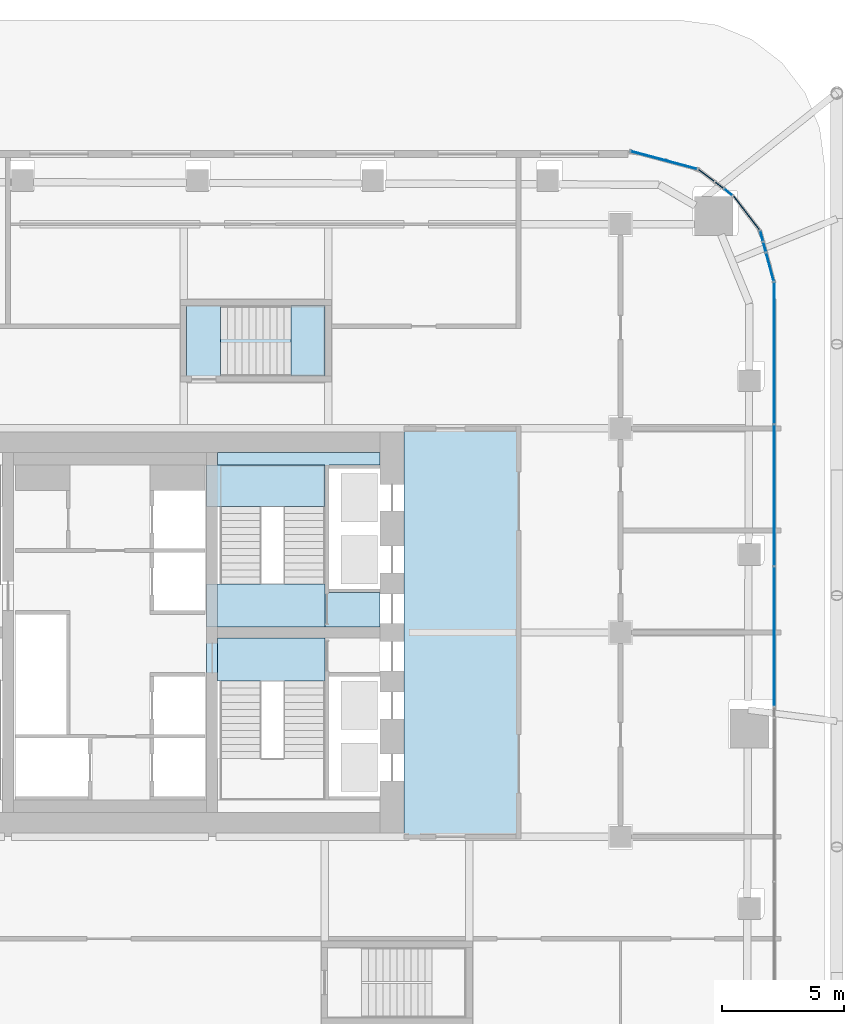
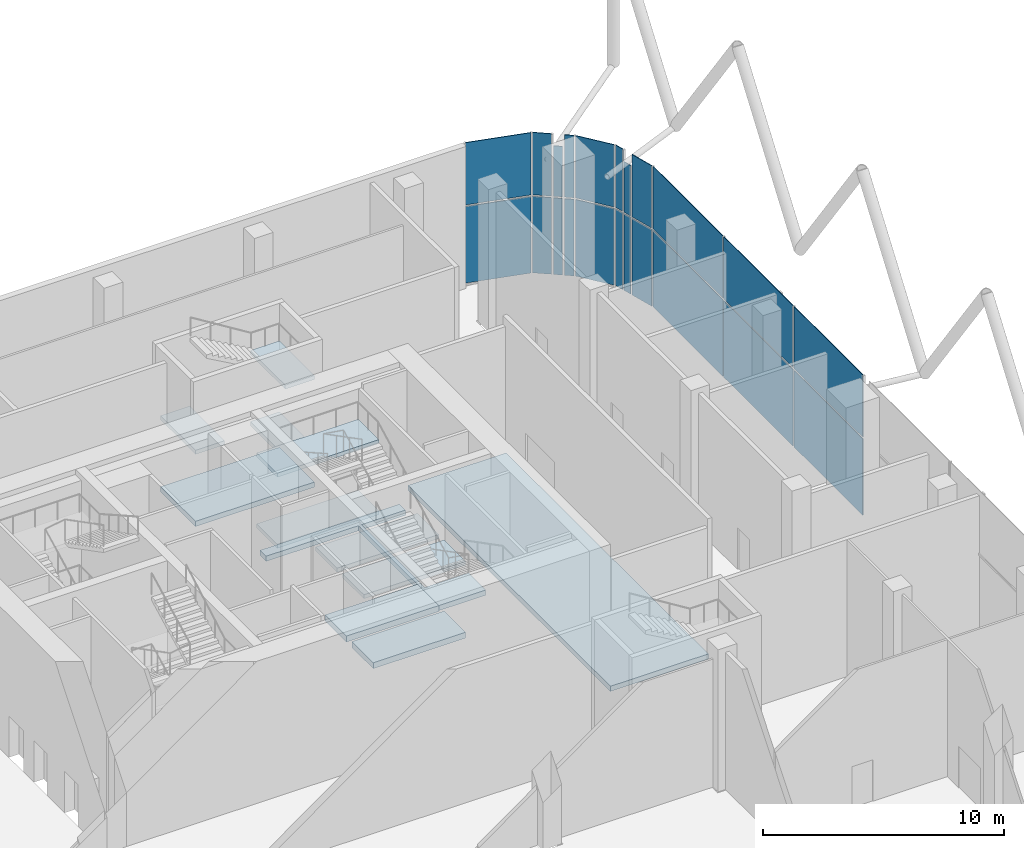
# One storey, part 24 of 34: 22 plates, 12 slabs, 12 elements without a shape of their own.
"""IFC4 building model written with IfcOpenShell, lengths in metres."""

from ifc_helpers import new_model, si_unit, direction, frame, origin, origin_2d, place, context, subcontext, project, spatial, polyline, rectangle, outline, extrude, material, layer, layer_set, type_object, element, aggregate, save


model = new_model("IFC4")

# Units and contexts
model_context = context("Model", 3, precision=1e-05, world=origin(), true_north=direction((0.0, 1.0)))
body_context = subcontext(model_context, "Body", "Model", "MODEL_VIEW")
ifc_project = project(units=[si_unit("LENGTHUNIT", "METRE"), si_unit("AREAUNIT", "SQUARE_METRE"), si_unit("VOLUMEUNIT", "CUBIC_METRE"), si_unit("PLANEANGLEUNIT", "RADIAN"), si_unit("MASSUNIT", "GRAM", prefix="KILO")], contexts=[model_context])

# Site, building, storey
site_placement = place(None, origin())
site = spatial("IfcSite", under=ifc_project, at=site_placement, CompositionType="ELEMENT")
building_placement = place(site_placement, origin())
building = spatial("IfcBuilding", under=site, at=building_placement, Name="Marenta Gate Hotel Tower", CompositionType="ELEMENT")
storey_placement = place(building_placement, frame((0.0, 0.0, 97.699951171875)))
storey = spatial("IfcBuildingStorey", under=building, at=storey_placement, Name="L21", CompositionType="ELEMENT", Elevation=97.699951171875)

# Slabs
ifc_material_1 = material(Name="Concrete C40", Category="concrete")
ifc_layer_1 = layer(ifc_material_1, 0.260009765625)
ifc_layer_set_1 = layer_set([ifc_layer_1], Name="Concrete C40")
slab_type_1 = type_object("IfcSlabType", Name="Core floor slab 260", PredefinedType="FLOOR", material=ifc_layer_set_1)
slab_1_placement = place(storey_placement, frame((0.0, 0.0, -0.260009765625)))
element("IfcSlab", 1, at=slab_1_placement, inside=storey, type_object=slab_type_1, Name="L21-CF-1", PredefinedType="FLOOR", context=body_context, shape_type="SweptSolid", body=[
    extrude(outline(polyline([(12.10009765625, 0.0), (12.10009765625, 16.800048828125), (16.800048828125, 16.800048828125), (16.800048828125, 0.0), (12.10009765625, 0.0)])), origin(), (0.0, 0.0, 1.0), 0.260009765625),
])
slab_2_placement = place(storey_placement, frame((0.0, 0.0, -0.260009765625)))
element("IfcSlab", 2, at=slab_2_placement, inside=storey, type_object=slab_type_1, Name="L21-CF-3", PredefinedType="FLOOR", context=body_context, shape_type="SweptSolid", body=[
    extrude(outline(polyline([(8.85009765625, 15.300048828125), (4.425048828125, 15.300048828125), (4.425048828125, 15.800048828125), (11.10009765625, 15.800048828125), (11.10009765625, 15.300048828125), (9.0, 15.300048828125), (9.0, 15.14990234375), (9.0, 12.75), (9.0, 12.60009765625), (9.0, 10.199951171875), (9.0, 10.050048828125), (11.10009765625, 10.050048828125), (11.10009765625, 8.625), (8.85009765625, 8.625), (8.85009765625, 8.699951171875), (8.85009765625, 10.39990234375), (8.85009765625, 15.300048828125)])), origin(), (0.0, 0.0, 1.0), 0.260009765625),
])

# Stair, slab
ifc_material_2 = material(Name="Concrete C40", Category="concrete")
stair_type_1 = type_object("IfcStairType", Name="Core exit stair 1700 wide", PredefinedType="HALF_TURN_STAIR", material=ifc_material_2)
stair_1_placement = place(storey_placement, origin())
stair_1 = element("IfcStair", 3, at=stair_1_placement, inside=storey, type_object=stair_type_1, Name="Exit stair 3", PredefinedType="HALF_TURN_STAIR")
ifc_material_3 = material(Name="Concrete C40", Category="concrete")
ifc_layer_2 = layer(ifc_material_3, 0.199951171875)
ifc_layer_set_2 = layer_set([ifc_layer_2], Name="Concrete C40")
slab_type_2 = type_object("IfcSlabType", Name="Core stair landing 200", PredefinedType="LANDING", material=ifc_layer_set_2)
slab_3_placement = place(storey_placement, frame((0.0, 0.0, 3.400146484375)))
slab_3 = element("IfcSlab", 4, at=slab_3_placement, type_object=slab_type_2, Name="SL-200 ST3 landing 2", PredefinedType="LANDING", context=body_context, shape_type="SweptSolid", body=[
    extrude(outline(polyline([(3.97509765625, 6.39990234375), (8.85009765625, 6.39990234375), (8.85009765625, 8.175048828125), (3.97509765625, 8.175048828125), (3.97509765625, 6.39990234375)])), origin(), (0.0, 0.0, 1.0), 0.199951171875),
])
aggregate(stair_1, [slab_3])

# Stair, slabs
stair_2_placement = place(storey_placement, origin())
stair_2 = element("IfcStair", 5, at=stair_2_placement, inside=storey, type_object=stair_type_1, Name="Exit stair 4", PredefinedType="HALF_TURN_STAIR")
slab_4_placement = place(storey_placement, frame((0.0, 0.0, 1.60009765625)))
slab_4 = element("IfcSlab", 6, at=slab_4_placement, type_object=slab_type_2, Name="SL-200 ST4 landing 1", PredefinedType="LANDING", context=body_context, shape_type="SweptSolid", body=[
    extrude(outline(polyline([(3.97509765625, 13.590087890625), (8.85009765625, 13.590087890625), (8.85009765625, 15.300048828125), (3.97509765625, 15.300048828125), (3.97509765625, 13.590087890625)])), origin(), (0.0, 0.0, 1.0), 0.199951171875),
])
slab_5_placement = place(storey_placement, frame((0.0, 0.0, 3.400146484375)))
slab_5 = element("IfcSlab", 7, at=slab_5_placement, type_object=slab_type_2, Name="SL-200 ST4 landing 2", PredefinedType="LANDING", context=body_context, shape_type="SweptSolid", body=[
    extrude(outline(polyline([(3.97509765625, 8.625), (8.85009765625, 8.625), (8.85009765625, 10.39990234375), (3.97509765625, 10.39990234375), (3.97509765625, 8.625)])), origin(), (0.0, 0.0, 1.0), 0.199951171875),
])
slab_6_placement = place(storey_placement, frame((0.0, 0.0, 5.199951171875)))
slab_6 = element("IfcSlab", 8, at=slab_6_placement, type_object=slab_type_2, Name="SL-200 ST4 landing 3", PredefinedType="LANDING", context=body_context, shape_type="SweptSolid", body=[
    extrude(outline(polyline([(3.97509765625, 13.590087890625), (8.85009765625, 13.590087890625), (8.85009765625, 15.300048828125), (3.97509765625, 15.300048828125), (3.97509765625, 13.590087890625)])), origin(), (0.0, 0.0, 1.0), 0.2001953125),
])
aggregate(stair_2, [slab_4, slab_5, slab_6])

# Curtain wall, plates
ifc_material_4 = material(Name="Tinted insulated glass in bronze anodised frame", Category="glass")
ifc_layer_3 = layer(ifc_material_4, 0.1298828125)
ifc_layer_set_3 = layer_set([ifc_layer_3], Name="Tinted insulated glass in bronze anodised frame")
curtain_wall_type = type_object("IfcCurtainWallType", Name="Sky lobby glazing CW2", PredefinedType="NOTDEFINED", material=ifc_layer_set_3)
curtain_wall_1_placement = place(storey_placement, origin())
curtain_wall_1 = element("IfcCurtainWall", 9, at=curtain_wall_1_placement, inside=storey, type_object=curtain_wall_type, Name="CW2 run G35", PredefinedType="NOTDEFINED")
ifc_material_5 = material(Name="Tinted insulated glass", Category="glass")
ifc_layer_4 = layer(ifc_material_5, 0.033935546875)
ifc_layer_set_4 = layer_set([ifc_layer_4], Name="Tinted insulated glass")
plate_type = type_object("IfcPlateType", Name="Glass panel CW2 34 mm tinted insulated unit", PredefinedType="CURTAIN_PANEL", material=ifc_layer_set_4)
plate_1_placement = place(storey_placement, frame((27.319091796875, 8.238037109375, 0.080078125), z_axis=(0.0, 0.0, 1.0), x_axis=(0.0, 1.0, 0.0)))
plate_1 = element("IfcPlate", 10, at=plate_1_placement, type_object=plate_type, Name="CW2 panel 1.1", PredefinedType="CURTAIN_PANEL", context=body_context, shape_type="SweptSolid", body=[
    extrude(rectangle(XDim=5.709716796875, YDim=0.033935546875, at=origin_2d()), origin(), (0.0, 0.0, 1.0), 3.8798828125),
])
plate_2_placement = place(storey_placement, frame((27.319091796875, 8.238037109375, 4.0400390625), z_axis=(0.0, 0.0, 1.0), x_axis=(0.0, 1.0, 0.0)))
plate_2 = element("IfcPlate", 11, at=plate_2_placement, type_object=plate_type, Name="CW2 panel 1.2", PredefinedType="CURTAIN_PANEL", context=body_context, shape_type="SweptSolid", body=[
    extrude(rectangle(XDim=5.709716796875, YDim=0.033935546875, at=origin_2d()), origin(), (0.0, 0.0, 1.0), 3.159912109375),
])
plate_3_placement = place(storey_placement, frame((27.319091796875, 14.0478515625, 0.080078125), z_axis=(0.0, 0.0, 1.0), x_axis=(0.0, 1.0, 0.0)))
plate_3 = element("IfcPlate", 12, at=plate_3_placement, type_object=plate_type, Name="CW2 panel 2.1", PredefinedType="CURTAIN_PANEL", context=body_context, shape_type="SweptSolid", body=[
    extrude(rectangle(XDim=5.749755859375, YDim=0.033935546875, at=origin_2d()), origin(), (0.0, 0.0, 1.0), 3.8798828125),
])
plate_4_placement = place(storey_placement, frame((27.319091796875, 14.0478515625, 4.0400390625), z_axis=(0.0, 0.0, 1.0), x_axis=(0.0, 1.0, 0.0)))
plate_4 = element("IfcPlate", 13, at=plate_4_placement, type_object=plate_type, Name="CW2 panel 2.2", PredefinedType="CURTAIN_PANEL", context=body_context, shape_type="SweptSolid", body=[
    extrude(rectangle(XDim=5.749755859375, YDim=0.033935546875, at=origin_2d()), origin(), (0.0, 0.0, 1.0), 3.159912109375),
])
plate_5_placement = place(storey_placement, frame((27.319091796875, 19.897705078125, 0.080078125), z_axis=(0.0, 0.0, 1.0), x_axis=(0.0, 1.0, 0.0)))
plate_5 = element("IfcPlate", 14, at=plate_5_placement, type_object=plate_type, Name="CW2 panel 3.1", PredefinedType="CURTAIN_PANEL", context=body_context, shape_type="SweptSolid", body=[
    extrude(rectangle(XDim=5.789794921875, YDim=0.033935546875, at=origin_2d()), origin(), (0.0, 0.0, 1.0), 3.8798828125),
])
plate_6_placement = place(storey_placement, frame((27.319091796875, 19.897705078125, 4.0400390625), z_axis=(0.0, 0.0, 1.0), x_axis=(0.0, 1.0, 0.0)))
plate_6 = element("IfcPlate", 15, at=plate_6_placement, type_object=plate_type, Name="CW2 panel 3.2", PredefinedType="CURTAIN_PANEL", context=body_context, shape_type="SweptSolid", body=[
    extrude(rectangle(XDim=5.789794921875, YDim=0.033935546875, at=origin_2d()), origin(), (0.0, 0.0, 1.0), 3.159912109375),
])
aggregate(curtain_wall_1, [plate_1, plate_2, plate_3, plate_4, plate_5, plate_6])

curtain_wall_2_placement = place(storey_placement, origin())
curtain_wall_2 = element("IfcCurtainWall", 16, at=curtain_wall_2_placement, inside=storey, type_object=curtain_wall_type, Name="CW2 run G36", PredefinedType="NOTDEFINED")
plate_7_placement = place(storey_placement, frame((27.147216796875, 23.43359375, 0.080078125), z_axis=(0.0, 0.0, 1.0), x_axis=(-0.258780163869, 0.965936243646, 0.0)))
plate_7 = element("IfcPlate", 17, at=plate_7_placement, type_object=plate_type, Name="CW2 panel 1.1", PredefinedType="CURTAIN_PANEL", context=body_context, shape_type="SweptSolid", body=[
    extrude(rectangle(XDim=1.16748046875, YDim=0.033935546875, at=origin_2d()), origin(), (0.0, 0.0, 1.0), 3.8798828125),
])
plate_8_placement = place(storey_placement, frame((27.147216796875, 23.43359375, 4.0400390625), z_axis=(0.0, 0.0, 1.0), x_axis=(-0.258780163869, 0.965936243646, 0.0)))
plate_8 = element("IfcPlate", 18, at=plate_8_placement, type_object=plate_type, Name="CW2 panel 1.2", PredefinedType="CURTAIN_PANEL", context=body_context, shape_type="SweptSolid", body=[
    extrude(rectangle(XDim=1.16748046875, YDim=0.033935546875, at=origin_2d()), origin(), (0.0, 0.0, 1.0), 3.159912109375),
])
aggregate(curtain_wall_2, [plate_7, plate_8])

curtain_wall_3_placement = place(storey_placement, origin())
curtain_wall_3 = element("IfcCurtainWall", 19, at=curtain_wall_3_placement, inside=storey, type_object=curtain_wall_type, Name="CW2 run G37", PredefinedType="NOTDEFINED")
plate_9_placement = place(storey_placement, frame((26.9267578125, 24.256591796875, 0.080078125), z_axis=(0.0, 0.0, 1.0), x_axis=(-0.258834595648, 0.965921659399, 0.0)))
plate_9 = element("IfcPlate", 20, at=plate_9_placement, type_object=plate_type, Name="CW2 panel 1.1", PredefinedType="CURTAIN_PANEL", context=body_context, shape_type="SweptSolid", body=[
    extrude(rectangle(XDim=0.376708984375, YDim=0.033935546875, at=origin_2d()), origin(), (0.0, 0.0, 1.0), 3.8798828125),
])
plate_10_placement = place(storey_placement, frame((26.9267578125, 24.256591796875, 4.0400390625), z_axis=(0.0, 0.0, 1.0), x_axis=(-0.258834595648, 0.965921659399, 0.0)))
plate_10 = element("IfcPlate", 21, at=plate_10_placement, type_object=plate_type, Name="CW2 panel 1.2", PredefinedType="CURTAIN_PANEL", context=body_context, shape_type="SweptSolid", body=[
    extrude(rectangle(XDim=0.376708984375, YDim=0.033935546875, at=origin_2d()), origin(), (0.0, 0.0, 1.0), 2.560546875),
])
aggregate(curtain_wall_3, [plate_9, plate_10])

curtain_wall_4_placement = place(storey_placement, origin())
curtain_wall_4 = element("IfcCurtainWall", 22, at=curtain_wall_4_placement, inside=storey, type_object=curtain_wall_type, Name="CW2 run G38", PredefinedType="NOTDEFINED")
plate_11_placement = place(storey_placement, frame((26.803955078125, 24.714599609375, 0.080078125), z_axis=(0.0, 0.0, 1.0), x_axis=(-0.258864833085, 0.965913556273, 0.0)))
plate_11 = element("IfcPlate", 23, at=plate_11_placement, type_object=plate_type, Name="CW2 panel 1.1", PredefinedType="CURTAIN_PANEL", context=body_context, shape_type="SweptSolid", body=[
    extrude(rectangle(XDim=0.411865234375, YDim=0.033935546875, at=origin_2d()), origin(), (0.0, 0.0, 1.0), 3.8798828125),
])
plate_12_placement = place(storey_placement, frame((26.803955078125, 24.714599609375, 4.0400390625), z_axis=(0.0, 0.0, 1.0), x_axis=(-0.258864833085, 0.965913556273, 0.0)))
plate_12 = element("IfcPlate", 24, at=plate_12_placement, type_object=plate_type, Name="CW2 panel 1.2", PredefinedType="CURTAIN_PANEL", context=body_context, shape_type="SweptSolid", body=[
    extrude(rectangle(XDim=0.411865234375, YDim=0.033935546875, at=origin_2d()), origin(), (0.0, 0.0, 1.0), 3.159912109375),
])
aggregate(curtain_wall_4, [plate_11, plate_12])

curtain_wall_5_placement = place(storey_placement, origin())
curtain_wall_5 = element("IfcCurtainWall", 25, at=curtain_wall_5_placement, inside=storey, type_object=curtain_wall_type, Name="CW2 run G39", PredefinedType="NOTDEFINED")
plate_13_placement = place(storey_placement, frame((26.175537109375, 25.6630859375, 0.080078125), z_axis=(0.0, 0.0, 1.0), x_axis=(-0.608770255435, 0.793346567458, 0.0)))
plate_13 = element("IfcPlate", 26, at=plate_13_placement, type_object=plate_type, Name="CW2 panel 1.1", PredefinedType="CURTAIN_PANEL", context=body_context, shape_type="SweptSolid", body=[
    extrude(rectangle(XDim=1.7294921875, YDim=0.033935546875, at=origin_2d()), origin(), (0.0, 0.0, 1.0), 3.8798828125),
])
plate_14_placement = place(storey_placement, frame((26.175537109375, 25.6630859375, 4.0400390625), z_axis=(0.0, 0.0, 1.0), x_axis=(-0.608770255435, 0.793346567458, 0.0)))
plate_14 = element("IfcPlate", 27, at=plate_14_placement, type_object=plate_type, Name="CW2 panel 1.2", PredefinedType="CURTAIN_PANEL", context=body_context, shape_type="SweptSolid", body=[
    extrude(rectangle(XDim=1.7294921875, YDim=0.033935546875, at=origin_2d()), origin(), (0.0, 0.0, 1.0), 3.159912109375),
])
aggregate(curtain_wall_5, [plate_13, plate_14])

curtain_wall_6_placement = place(storey_placement, origin())
curtain_wall_6 = element("IfcCurtainWall", 28, at=curtain_wall_6_placement, inside=storey, type_object=curtain_wall_type, Name="CW2 run G40", PredefinedType="NOTDEFINED")
plate_15_placement = place(storey_placement, frame((25.430419921875, 26.516845703125, 0.080078125), z_axis=(0.0, 0.0, 1.0), x_axis=(-0.79335698929, 0.608756673512, 0.0)))
plate_15 = element("IfcPlate", 29, at=plate_15_placement, type_object=plate_type, Name="CW2 panel 1.1", PredefinedType="CURTAIN_PANEL", context=body_context, shape_type="SweptSolid", body=[
    extrude(rectangle(XDim=0.391357421875, YDim=0.033935546875, at=origin_2d()), origin(), (0.0, 0.0, 1.0), 3.8798828125),
])
plate_16_placement = place(storey_placement, frame((25.430419921875, 26.516845703125, 4.0400390625), z_axis=(0.0, 0.0, 1.0), x_axis=(-0.79335698929, 0.608756673512, 0.0)))
plate_16 = element("IfcPlate", 30, at=plate_16_placement, type_object=plate_type, Name="CW2 panel 1.2", PredefinedType="CURTAIN_PANEL", context=body_context, shape_type="SweptSolid", body=[
    extrude(rectangle(XDim=0.391357421875, YDim=0.033935546875, at=origin_2d()), origin(), (0.0, 0.0, 1.0), 3.159912109375),
])
aggregate(curtain_wall_6, [plate_15, plate_16])

curtain_wall_7_placement = place(storey_placement, origin())
curtain_wall_7 = element("IfcCurtainWall", 31, at=curtain_wall_7_placement, inside=storey, type_object=curtain_wall_type, Name="CW2 run G41", PredefinedType="NOTDEFINED")
plate_17_placement = place(storey_placement, frame((25.05810546875, 26.802490234375, 0.080078125), z_axis=(0.0, 0.0, 1.0), x_axis=(-0.79345122538, 0.608633841438, 0.0)))
plate_17 = element("IfcPlate", 32, at=plate_17_placement, type_object=plate_type, Name="CW2 panel 1.1", PredefinedType="CURTAIN_PANEL", context=body_context, shape_type="SweptSolid", body=[
    extrude(rectangle(XDim=0.386962890625, YDim=0.033935546875, at=origin_2d()), origin(), (0.0, 0.0, 1.0), 3.8798828125),
])
plate_18_placement = place(storey_placement, frame((25.05810546875, 26.802490234375, 4.0400390625), z_axis=(0.0, 0.0, 1.0), x_axis=(-0.79345122538, 0.608633841438, 0.0)))
plate_18 = element("IfcPlate", 33, at=plate_18_placement, type_object=plate_type, Name="CW2 panel 1.2", PredefinedType="CURTAIN_PANEL", context=body_context, shape_type="SweptSolid", body=[
    extrude(rectangle(XDim=0.386962890625, YDim=0.033935546875, at=origin_2d()), origin(), (0.0, 0.0, 1.0), 2.560546875),
])
aggregate(curtain_wall_7, [plate_17, plate_18])

curtain_wall_8_placement = place(storey_placement, origin())
curtain_wall_8 = element("IfcCurtainWall", 34, at=curtain_wall_8_placement, inside=storey, type_object=curtain_wall_type, Name="CW2 run G42", PredefinedType="NOTDEFINED")
plate_19_placement = place(storey_placement, frame((24.52734375, 27.209716796875, 0.080078125), z_axis=(0.0, 0.0, 1.0), x_axis=(-0.793284832493, 0.608850699709, 0.0)))
plate_19 = element("IfcPlate", 35, at=plate_19_placement, type_object=plate_type, Name="CW2 panel 1.1", PredefinedType="CURTAIN_PANEL", context=body_context, shape_type="SweptSolid", body=[
    extrude(rectangle(XDim=0.791259765625, YDim=0.033935546875, at=origin_2d()), origin(), (0.0, 0.0, 1.0), 3.8798828125),
])
plate_20_placement = place(storey_placement, frame((24.52734375, 27.209716796875, 4.0400390625), z_axis=(0.0, 0.0, 1.0), x_axis=(-0.793284832493, 0.608850699709, 0.0)))
plate_20 = element("IfcPlate", 36, at=plate_20_placement, type_object=plate_type, Name="CW2 panel 1.2", PredefinedType="CURTAIN_PANEL", context=body_context, shape_type="SweptSolid", body=[
    extrude(rectangle(XDim=0.791259765625, YDim=0.033935546875, at=origin_2d()), origin(), (0.0, 0.0, 1.0), 3.159912109375),
])
aggregate(curtain_wall_8, [plate_19, plate_20])

curtain_wall_9_placement = place(storey_placement, origin())
curtain_wall_9 = element("IfcCurtainWall", 37, at=curtain_wall_9_placement, inside=storey, type_object=curtain_wall_type, Name="CW2 run G43", PredefinedType="NOTDEFINED")
plate_21_placement = place(storey_placement, frame((22.78564453125, 27.833251953125, 0.080078125), z_axis=(0.0, 0.0, 1.0), x_axis=(-0.965932803035, 0.25879300613, 0.0)))
plate_21 = element("IfcPlate", 38, at=plate_21_placement, type_object=plate_type, Name="CW2 panel 1.1", PredefinedType="CURTAIN_PANEL", context=body_context, shape_type="SweptSolid", body=[
    extrude(rectangle(XDim=2.79638671875, YDim=0.033935546875, at=origin_2d()), origin(), (0.0, 0.0, 1.0), 3.8798828125),
])
plate_22_placement = place(storey_placement, frame((22.78564453125, 27.833251953125, 4.0400390625), z_axis=(0.0, 0.0, 1.0), x_axis=(-0.965932803035, 0.25879300613, 0.0)))
plate_22 = element("IfcPlate", 39, at=plate_22_placement, type_object=plate_type, Name="CW2 panel 1.2", PredefinedType="CURTAIN_PANEL", context=body_context, shape_type="SweptSolid", body=[
    extrude(rectangle(XDim=2.79638671875, YDim=0.033935546875, at=origin_2d()), origin(), (0.0, 0.0, 1.0), 3.159912109375),
])
aggregate(curtain_wall_9, [plate_21, plate_22])

# Stair, slabs
ifc_material_6 = material(Name="Concrete C40", Category="concrete")
stair_type_2 = type_object("IfcStairType", Name="Remote exit stair 1400 wide", PredefinedType="HALF_TURN_STAIR", material=ifc_material_6)
stair_3_placement = place(storey_placement, origin())
stair_3 = element("IfcStair", 40, at=stair_3_placement, inside=storey, type_object=stair_type_2, Name="Exit stair RS-Z2-4", PredefinedType="HALF_TURN_STAIR")
ifc_material_7 = material(Name="Concrete C40", Category="concrete")
ifc_layer_5 = layer(ifc_material_7, 0.199951171875)
ifc_layer_set_5 = layer_set([ifc_layer_5], Name="Concrete C40")
slab_type_3 = type_object("IfcSlabType", Name="Remote stair landing 200", PredefinedType="LANDING", material=ifc_layer_set_5)
slab_7_placement = place(storey_placement, frame((0.0, 0.0, 1.60009765625)))
slab_7 = element("IfcSlab", 41, at=slab_7_placement, type_object=slab_type_3, Name="RL-200 RS-Z2-4 landing 1", PredefinedType="LANDING", context=body_context, shape_type="SweptSolid", body=[
    extrude(outline(polyline([(7.449951171875, 18.949951171875), (8.85009765625, 18.949951171875), (8.85009765625, 21.85009765625), (7.449951171875, 21.85009765625), (7.449951171875, 18.949951171875)])), origin(), (0.0, 0.0, 1.0), 0.199951171875),
])
slab_8_placement = place(storey_placement, frame((0.0, 0.0, 3.400146484375)))
slab_8 = element("IfcSlab", 42, at=slab_8_placement, type_object=slab_type_3, Name="RL-200 RS-Z2-4 landing 2", PredefinedType="LANDING", context=body_context, shape_type="SweptSolid", body=[
    extrude(outline(polyline([(3.14990234375, 18.949951171875), (4.550048828125, 18.949951171875), (4.550048828125, 21.85009765625), (3.14990234375, 21.85009765625), (3.14990234375, 18.949951171875)])), origin(), (0.0, 0.0, 1.0), 0.199951171875),
])
slab_9_placement = place(storey_placement, frame((0.0, 0.0, 5.199951171875)))
slab_9 = element("IfcSlab", 43, at=slab_9_placement, type_object=slab_type_3, Name="RL-200 RS-Z2-4 landing 3", PredefinedType="LANDING", context=body_context, shape_type="SweptSolid", body=[
    extrude(outline(polyline([(7.449951171875, 18.949951171875), (8.85009765625, 18.949951171875), (8.85009765625, 21.85009765625), (7.449951171875, 21.85009765625), (7.449951171875, 18.949951171875)])), origin(), (0.0, 0.0, 1.0), 0.2001953125),
])
aggregate(stair_3, [slab_7, slab_8, slab_9])

# Slabs
ifc_material_8 = material(Name="Concrete C40", Category="concrete")
ifc_layer_6 = layer(ifc_material_8, 0.300048828125)
ifc_layer_set_6 = layer_set([ifc_layer_6], Name="Concrete C40")
slab_type_4 = type_object("IfcSlabType", Name="Stair floor landing slab 300", PredefinedType="FLOOR", material=ifc_layer_set_6)
slab_10_placement = place(storey_placement, frame((0.0, 0.0, -0.300048828125)))
element("IfcSlab", 44, at=slab_10_placement, inside=storey, type_object=slab_type_4, Name="L21-CL-ST3-1", PredefinedType="FLOOR", context=body_context, shape_type="SweptSolid", body=[
    extrude(outline(polyline([(4.425048828125, 6.39990234375), (4.425048828125, 8.175048828125), (8.85009765625, 8.175048828125), (8.85009765625, 8.10009765625), (8.85009765625, 6.39990234375), (4.425048828125, 6.39990234375)])), origin(), (0.0, 0.0, 1.0), 0.300048828125),
])
slab_11_placement = place(storey_placement, frame((0.0, 0.0, -0.300048828125)))
element("IfcSlab", 45, at=slab_11_placement, inside=storey, type_object=slab_type_4, Name="L21-CL-ST4-1", PredefinedType="FLOOR", context=body_context, shape_type="SweptSolid", body=[
    extrude(outline(polyline([(4.425048828125, 8.625), (4.425048828125, 10.39990234375), (8.85009765625, 10.39990234375), (8.85009765625, 8.699951171875), (8.85009765625, 8.625), (4.425048828125, 8.625)])), origin(), (0.0, 0.0, 1.0), 0.300048828125),
])
slab_12_placement = place(storey_placement, frame((0.0, 0.0, -0.260009765625)))
element("IfcSlab", 46, at=slab_12_placement, inside=storey, type_object=slab_type_4, Name="L21-RS-Z2-4-CL", PredefinedType="FLOOR", context=body_context, shape_type="SweptSolid", body=[
    extrude(outline(polyline([(8.85009765625, 18.949951171875), (8.85009765625, 21.85009765625), (3.14990234375, 21.85009765625), (3.14990234375, 18.949951171875), (8.85009765625, 18.949951171875)])), origin(), (0.0, 0.0, 1.0), 0.260009765625),
])

save(model, "model.ifc")
